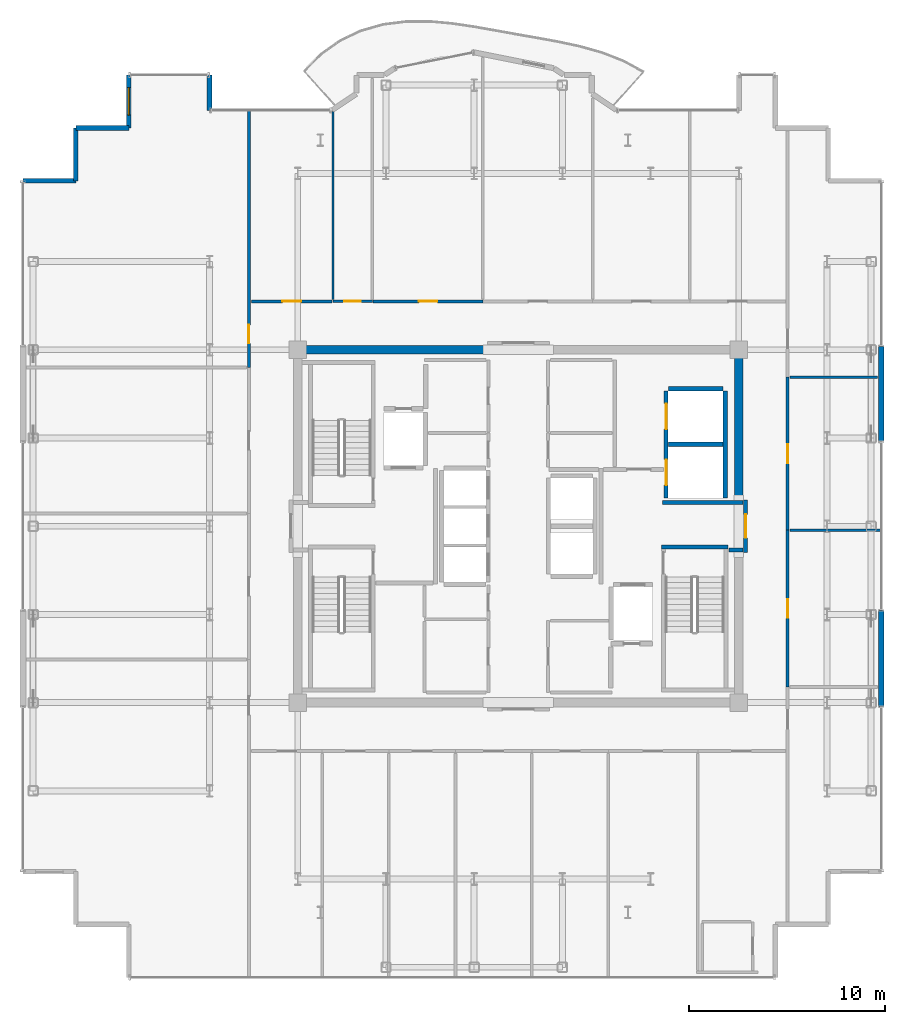
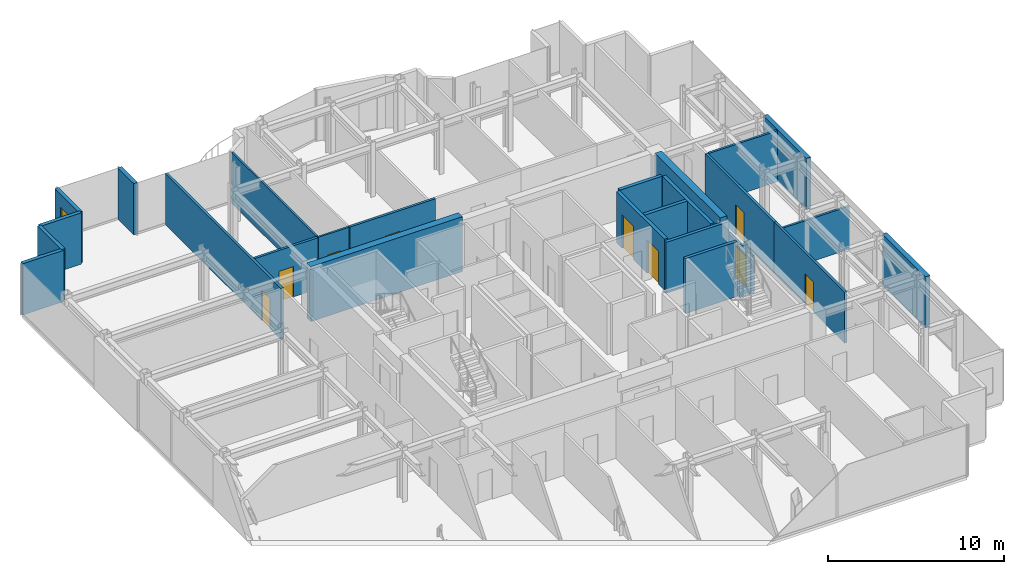
# One storey, part 14 of 16: 26 walls, 9 doors, 1 window, 10 openings.
"""IFC4 building model written with IfcOpenShell, lengths in metres."""

from ifc_helpers import new_model, si_unit, direction, frame, frame_2d, origin, place, context, subcontext, project, spatial, rectangle, extrude, source, transform, mapped, material, layer, layer_set, type_object, element, fill, save


model = new_model("IFC4")

# Units and contexts
model_context = context("Model", 3, precision=1e-05, world=origin(), true_north=direction((0.0, 1.0)))
body_context = subcontext(model_context, "Body", "Model", "MODEL_VIEW")
ifc_project = project(units=[si_unit("LENGTHUNIT", "METRE"), si_unit("AREAUNIT", "SQUARE_METRE"), si_unit("VOLUMEUNIT", "CUBIC_METRE"), si_unit("PLANEANGLEUNIT", "RADIAN"), si_unit("MASSUNIT", "GRAM", prefix="KILO")], contexts=[model_context])

# Site, building, storey
site_placement = place(None, origin())
site = spatial("IfcSite", under=ifc_project, at=site_placement, CompositionType="ELEMENT")
building_placement = place(site_placement, origin())
building = spatial("IfcBuilding", under=site, at=building_placement, Name="Nefas-Gora Pilgrimage Tower", CompositionType="ELEMENT")
storey_placement = place(building_placement, frame((0.0, 0.0, 310.199951171875)))
storey = spatial("IfcBuildingStorey", under=building, at=storey_placement, Name="L78", CompositionType="ELEMENT", Elevation=310.199951171875)

# Walls
ifc_material_1 = material(Name="Concrete C50/60", Category="concrete")
ifc_layer_1 = layer(ifc_material_1, 0.449951171875)
ifc_layer_set_1 = layer_set([ifc_layer_1], Name="Concrete C50/60")
wall_type_1 = type_object("IfcWallType", Name="SW-CORE-450", PredefinedType="SHEAR", material=ifc_layer_set_1)
shared_shape_1 = source(origin(), body_context, "Body", "SweptSolid", [
    extrude(rectangle(XDim=9.925048828125, YDim=0.449951171875, at=frame_2d((4.96240234375, 0.0))), origin(), (0.0, 0.0, 1.0), 3.800048828125),
])
wall_1_placement = place(storey_placement, frame((-11.47509765625, 9.0, 0.0), z_axis=(0.0, 0.0, 1.0), x_axis=(1.0, 0.0, 0.0)))
element("IfcWall", 1, at=wall_1_placement, inside=storey, type_object=wall_type_1, Name="L78 Core Shear Wall N-West", PredefinedType="SHEAR", context=body_context, shape_type="MappedRepresentation", body=[
    mapped(shared_shape_1, transform((0.0, 0.0, 0.0), x_axis=(1.0, 0.0, 0.0), y_axis=(0.0, 1.0, 0.0), z_axis=(0.0, 0.0, 1.0), scale=1.0)),
])
shared_shape_2 = source(origin(), body_context, "Body", "SweptSolid", [
    extrude(rectangle(XDim=7.4248046875, YDim=0.449951171875, at=frame_2d((3.71240234375, 0.0))), origin(), (0.0, 0.0, 1.0), 3.800048828125),
])
wall_2_placement = place(storey_placement, frame((11.25, 1.35009765625, 0.0), z_axis=(0.0, 0.0, 1.0), x_axis=(0.0, 1.0, 0.0)))
element("IfcWall", 2, at=wall_2_placement, inside=storey, type_object=wall_type_1, Name="L78 Core Shear Wall E-North", PredefinedType="SHEAR", context=body_context, shape_type="MappedRepresentation", body=[
    mapped(shared_shape_2, transform((0.0, 0.0, 0.0), x_axis=(1.0, 0.0, 0.0), y_axis=(0.0, 1.0, 0.0), z_axis=(0.0, 0.0, 1.0), scale=1.0)),
])
ifc_material_2 = material(Name="Precast concrete C45/55", Category="concrete")
ifc_layer_2 = layer(ifc_material_2, 0.239990234375)
ifc_layer_set_2 = layer_set([ifc_layer_2], Name="Precast concrete C45/55")
wall_type_2 = type_object("IfcWallType", Name="EW-SERR-240", PredefinedType="SHEAR", material=ifc_layer_set_2)
shared_shape_3 = source(origin(), body_context, "Body", "SweptSolid", [
    extrude(rectangle(XDim=4.8798828125, YDim=0.300048828125, at=frame_2d((2.43994140625, 0.0))), origin(), (0.0, 0.0, 1.0), 3.550048828125),
])
for number, where, z_axis, x_axis, name in (
    (3, (18.52001953125, -9.18994140625, 0.0), (0.0, 0.0, 1.0), (0.0, 1.0, 0.0), "L78 Braced-Tube Precast Shear Cladding 3"),
    (4, (18.52001953125, 4.31005859375, 0.0), (0.0, 0.0, 1.0), (0.0, 1.0, 0.0), "L78 Braced-Tube Precast Shear Cladding 4"),
):
    element("IfcWall", number, at=place(storey_placement, frame(where, z_axis=z_axis, x_axis=x_axis)), inside=storey, type_object=wall_type_2, Name=name, PredefinedType="SHEAR", context=body_context, shape_type="MappedRepresentation", body=[
        mapped(shared_shape_3, transform((0.0, 0.0, 0.0), x_axis=(1.0, 0.0, 0.0), y_axis=(0.0, 1.0, 0.0), z_axis=(0.0, 0.0, 1.0), scale=1.0)),
    ])
ifc_material_3 = material(Name="Precast concrete C40/50", Category="concrete")
ifc_layer_3 = layer(ifc_material_3, 0.260009765625)
ifc_layer_set_3 = layer_set([ifc_layer_3], Name="Precast concrete C40/50")
wall_type_3 = type_object("IfcWallType", Name="EW-PORTAL-260", PredefinedType="SOLIDWALL", material=ifc_layer_set_3)
shared_shape_4 = source(origin(), body_context, "Body", "SweptSolid", [
    extrude(rectangle(XDim=1.800048828125, YDim=0.260009765625, at=frame_2d((0.89990234375, 0.0))), origin(), (0.0, 0.0, 1.0), 3.550048828125),
])
wall_3_placement = place(storey_placement, frame((-15.75, 21.219970703125, 0.0), z_axis=(0.0, 0.0, 1.0), x_axis=(0.0, 1.0, 0.0)))
element("IfcWall", 5, at=wall_3_placement, inside=storey, type_object=wall_type_3, Name="L78 Lobe Shoulder Precast Spandrel Pier 20", PredefinedType="SOLIDWALL", context=body_context, shape_type="MappedRepresentation", body=[
    mapped(shared_shape_4, transform((0.0, 0.0, 0.0), x_axis=(1.0, 0.0, 0.0), y_axis=(0.0, 1.0, 0.0), z_axis=(0.0, 0.0, 1.0), scale=1.0)),
])

# Wall, opening, window
shared_shape_5 = source(origin(), body_context, "Body", "SweptSolid", [
    extrude(rectangle(XDim=2.699951171875, YDim=0.239990234375, at=frame_2d((1.35009765625, 0.0))), origin(), (0.0, 0.0, 1.0), 3.550048828125),
])
wall_4_placement = place(storey_placement, frame((-19.8701171875, 23.02001953125, 0.0), z_axis=(0.0, 0.0, 1.0), x_axis=(0.0, -1.0, 0.0)))
wall_4 = element("IfcWall", 6, at=wall_4_placement, inside=storey, type_object=wall_type_2, Name="L78 Serrated Corner Shear Pier Wall 21", PredefinedType="SHEAR", context=body_context, shape_type="MappedRepresentation", body=[
    mapped(shared_shape_5, transform((0.0, 0.0, 0.0), x_axis=(1.0, 0.0, 0.0), y_axis=(0.0, 1.0, 0.0), z_axis=(0.0, 0.0, 1.0), scale=1.0)),
])
opening_1_placement = place(wall_4_placement, frame((0.64990234375, 0.0, 0.85009765625)))
opening_1 = element("IfcOpeningElement", 7, at=opening_1_placement, cuts=wall_4, Name="Opening W-V2", PredefinedType="OPENING", context=body_context, shape_type="SweptSolid", body=[
    extrude(rectangle(XDim=1.39990234375, YDim=1.800048828125, at=frame_2d((0.699951171875, 0.89990234375))), frame((0.0, 0.1298828125, 0.0), z_axis=(0.0, -1.0, 0.0), x_axis=(1.0, 0.0, 0.0)), (0.0, 0.0, 1.0), 0.260009765625),
])
ifc_material_4 = material(Name="Dark ceramic-fritted operable aluminium-glass window", Category="aluminium")
window_type = type_object("IfcWindowType", Name="WIN-VENT-1400x1800", PartitioningType="SINGLE_PANEL", PredefinedType="WINDOW", material=ifc_material_4)
shared_shape_6 = source(origin(), body_context, "Body", "SweptSolid", [
    extrude(rectangle(XDim=1.39990234375, YDim=1.800048828125, at=frame_2d((0.699951171875, 0.89990234375))), frame((0.0, 0.030029296875, 0.0), z_axis=(0.0, -1.0, 0.0), x_axis=(1.0, 0.0, 0.0)), (0.0, 0.0, 1.0), 0.06005859375),
])
window_placement = place(opening_1_placement, origin())
window = element("IfcWindow", 8, at=window_placement, inside=storey, type_object=window_type, Name="L78 Operable Parallel-Outswing Window 21", OverallHeight=1.800048828125, OverallWidth=1.39990234375, PartitioningType="SINGLE_PANEL", PredefinedType="WINDOW", context=body_context, shape_type="MappedRepresentation", body=[
    mapped(shared_shape_6, transform((0.0, 0.0, 0.0), x_axis=(1.0, 0.0, 0.0), y_axis=(0.0, 1.0, 0.0), z_axis=(0.0, 0.0, 1.0), scale=1.0)),
])
fill(opening_1, window)

# Walls
for number, where, z_axis, x_axis, name in (
    (9, (-19.8701171875, 20.320068359375, 0.0), (0.0, 0.0, 1.0), (-1.0, 0.0, 0.0), "L78 Serrated Corner Shear Pier Wall 22"),
    (10, (-22.570068359375, 20.320068359375, 0.0), (0.0, 0.0, 1.0), (0.0, -1.0, 0.0), "L78 Serrated Corner Shear Pier Wall 23"),
    (11, (-22.570068359375, 17.6201171875, 0.0), (0.0, 0.0, 1.0), (-1.0, 0.0, 0.0), "L78 Serrated Corner Shear Pier Wall 24"),
):
    element("IfcWall", number, at=place(storey_placement, frame(where, z_axis=z_axis, x_axis=x_axis)), inside=storey, type_object=wall_type_2, Name=name, PredefinedType="SHEAR", context=body_context, shape_type="MappedRepresentation", body=[
        mapped(shared_shape_5, transform((0.0, 0.0, 0.0), x_axis=(1.0, 0.0, 0.0), y_axis=(0.0, 1.0, 0.0), z_axis=(0.0, 0.0, 1.0), scale=1.0)),
    ])
ifc_material_5 = material(Name="Concrete C45/55", Category="concrete")
ifc_layer_4 = layer(ifc_material_5, 0.199951171875)
ifc_layer_set_4 = layer_set([ifc_layer_4], Name="Concrete C45/55")
wall_type_4 = type_object("IfcWallType", Name="IW-STAIR-200", PredefinedType="SOLIDWALL", material=ifc_layer_set_4)
shared_shape_7 = source(origin(), body_context, "Body", "SweptSolid", [
    extrude(rectangle(XDim=3.39990234375, YDim=0.199951171875, at=frame_2d((1.699951171875, 0.0))), origin(), (0.0, 0.0, 1.0), 3.800048828125),
])
wall_5_placement = place(storey_placement, frame((7.300048828125, -1.050048828125, 0.0), z_axis=(0.0, 0.0, 1.0), x_axis=(1.0, 0.0, 0.0)))
element("IfcWall", 12, at=wall_5_placement, inside=storey, type_object=wall_type_4, Name="L78 Stairwell Shear Wall ST-02-near", PredefinedType="SOLIDWALL", context=body_context, shape_type="MappedRepresentation", body=[
    mapped(shared_shape_7, transform((0.0, 0.0, 0.0), x_axis=(1.0, 0.0, 0.0), y_axis=(0.0, 1.0, 0.0), z_axis=(0.0, 0.0, 1.0), scale=1.0)),
])

# Wall, openings, doors
ifc_material_6 = material(Name="Concrete C40/50", Category="concrete")
ifc_layer_5 = layer(ifc_material_6, 0.219970703125)
ifc_layer_set_5 = layer_set([ifc_layer_5], Name="Concrete C40/50")
wall_type_5 = type_object("IfcWallType", Name="IW-SHAFT-220", PredefinedType="SOLIDWALL", material=ifc_layer_set_5)
shared_shape_8 = source(origin(), body_context, "Body", "SweptSolid", [
    extrude(rectangle(XDim=5.449951171875, YDim=0.219970703125, at=frame_2d((2.72509765625, 0.0))), origin(), (0.0, 0.0, 1.0), 3.53515625),
])
wall_6_placement = place(storey_placement, frame((7.5400390625, 6.89990234375, 0.0), z_axis=(0.0, 0.0, 1.0), x_axis=(0.0, -1.0, 0.0)))
wall_6 = element("IfcWall", 13, at=wall_6_placement, inside=storey, type_object=wall_type_5, Name="L78 Hoistway Wall SL-01-02-W", PredefinedType="SOLIDWALL", context=body_context, shape_type="MappedRepresentation", body=[
    mapped(shared_shape_8, transform((0.0, 0.0, 0.0), x_axis=(1.0, 0.0, 0.0), y_axis=(0.0, 1.0, 0.0), z_axis=(0.0, 0.0, 1.0), scale=1.0)),
])
opening_2_placement = place(wall_6_placement, frame((3.5, 0.0, 0.0)))
opening_2 = element("IfcOpeningElement", 14, at=opening_2_placement, cuts=wall_6, Name="Opening LD-SV", PredefinedType="OPENING", context=body_context, shape_type="SweptSolid", body=[
    extrude(rectangle(XDim=1.300048828125, YDim=2.300048828125, at=frame_2d((0.64990234375, 1.14990234375))), frame((0.0, 0.119873046875, 0.0), z_axis=(0.0, -1.0, 0.0), x_axis=(1.0, 0.0, 0.0)), (0.0, 0.0, 1.0), 0.239990234375),
])
opening_3_placement = place(wall_6_placement, frame((0.64990234375, 0.0, 0.0)))
opening_3 = element("IfcOpeningElement", 15, at=opening_3_placement, cuts=wall_6, Name="Opening LD-SV", PredefinedType="OPENING", context=body_context, shape_type="SweptSolid", body=[
    extrude(rectangle(XDim=1.300048828125, YDim=2.300048828125, at=frame_2d((0.64990234375, 1.14990234375))), frame((0.0, 0.119873046875, 0.0), z_axis=(0.0, -1.0, 0.0), x_axis=(1.0, 0.0, 0.0)), (0.0, 0.0, 1.0), 0.239990234375),
])
ifc_material_7 = material(Name="Heavy goods sliding lift landing door")
door_type_1 = type_object("IfcDoorType", Name="DR-LIFT-SERV-1300", OperationType="SLIDING_TO_RIGHT", PredefinedType="DOOR", material=ifc_material_7)
shared_shape_9 = source(origin(), body_context, "Body", "SweptSolid", [
    extrude(rectangle(XDim=1.300048828125, YDim=2.300048828125, at=frame_2d((0.64990234375, 1.14990234375))), frame((0.0, 0.02490234375, 0.0), z_axis=(0.0, -1.0, 0.0), x_axis=(1.0, 0.0, 0.0)), (0.0, 0.0, 1.0), 0.050048828125),
])
door_1_placement = place(opening_2_placement, origin())
door_1 = element("IfcDoor", 16, at=door_1_placement, inside=storey, type_object=door_type_1, Name="L78 Sliding Lift Landing Door SL-01", OperationType="SLIDING_TO_RIGHT", OverallHeight=2.300048828125, OverallWidth=1.300048828125, PredefinedType="DOOR", context=body_context, shape_type="MappedRepresentation", body=[
    mapped(shared_shape_9, transform((0.0, 0.0, 0.0), x_axis=(1.0, 0.0, 0.0), y_axis=(0.0, 1.0, 0.0), z_axis=(0.0, 0.0, 1.0), scale=1.0)),
])
fill(opening_2, door_1)
door_2_placement = place(opening_3_placement, origin())
door_2 = element("IfcDoor", 17, at=door_2_placement, inside=storey, type_object=door_type_1, Name="L78 Sliding Lift Landing Door SL-02", OperationType="SLIDING_TO_RIGHT", OverallHeight=2.300048828125, OverallWidth=1.300048828125, PredefinedType="DOOR", context=body_context, shape_type="MappedRepresentation", body=[
    mapped(shared_shape_9, transform((0.0, 0.0, 0.0), x_axis=(1.0, 0.0, 0.0), y_axis=(0.0, 1.0, 0.0), z_axis=(0.0, 0.0, 1.0), scale=1.0)),
])
fill(opening_3, door_2)

# Walls
wall_7_placement = place(storey_placement, frame((10.56005859375, 1.449951171875, 0.0), z_axis=(0.0, 0.0, 1.0), x_axis=(0.0, 1.0, 0.0)))
element("IfcWall", 18, at=wall_7_placement, inside=storey, type_object=wall_type_5, Name="L78 Hoistway Wall SL-01-02-E", PredefinedType="SOLIDWALL", context=body_context, shape_type="MappedRepresentation", body=[
    mapped(shared_shape_8, transform((0.0, 0.0, 0.0), x_axis=(1.0, 0.0, 0.0), y_axis=(0.0, 1.0, 0.0), z_axis=(0.0, 0.0, 1.0), scale=1.0)),
])
shared_shape_10 = source(origin(), body_context, "Body", "SweptSolid", [
    extrude(rectangle(XDim=2.780029296875, YDim=0.219970703125, at=frame_2d((1.39013671875, 0.0))), origin(), (0.0, 0.0, 1.0), 3.53515625),
])
for number, where, z_axis, x_axis, name in (
    (19, (7.659912109375, 4.175048828125, 0.0), (0.0, 0.0, 1.0), (1.0, 0.0, 0.0), "L78 Hoistway Wall SL-01-02-DIV"),
    (20, (10.43994140625, 7.010009765625, 0.0), (0.0, 0.0, 1.0), (-1.0, 0.0, 0.0), "L78 Hoistway Wall SL-02-N"),
):
    element("IfcWall", number, at=place(storey_placement, frame(where, z_axis=z_axis, x_axis=x_axis)), inside=storey, type_object=wall_type_5, Name=name, PredefinedType="SOLIDWALL", context=body_context, shape_type="MappedRepresentation", body=[
        mapped(shared_shape_10, transform((0.0, 0.0, 0.0), x_axis=(1.0, 0.0, 0.0), y_axis=(0.0, 1.0, 0.0), z_axis=(0.0, 0.0, 1.0), scale=1.0)),
    ])
ifc_material_8 = material(Name="Gypsum fire-rated shaftwall")
ifc_layer_6 = layer(ifc_material_8, 0.199951171875)
ifc_layer_set_6 = layer_set([ifc_layer_6], Name="Gypsum fire-rated shaftwall")
wall_type_6 = type_object("IfcWallType", Name="IW-FFLOB-200", PredefinedType="PARTITIONING", material=ifc_layer_set_6)
shared_shape_11 = source(origin(), body_context, "Body", "SweptSolid", [
    extrude(rectangle(XDim=0.719970703125, YDim=0.199951171875, at=frame_2d((0.35986328125, 0.0))), origin(), (0.0, 0.0, 1.0), 3.53515625),
])
wall_8_placement = place(storey_placement, frame((10.739990234375, -1.219970703125, 0.0), z_axis=(0.0, 0.0, 1.0), x_axis=(1.0, 0.0, 0.0)))
element("IfcWall", 21, at=wall_8_placement, inside=storey, type_object=wall_type_6, Name="L78 FF Lobby East Throat S Wall 15", PredefinedType="PARTITIONING", context=body_context, shape_type="MappedRepresentation", body=[
    mapped(shared_shape_11, transform((0.0, 0.0, 0.0), x_axis=(1.0, 0.0, 0.0), y_axis=(0.0, 1.0, 0.0), z_axis=(0.0, 0.0, 1.0), scale=1.0)),
])
shared_shape_12 = source(origin(), body_context, "Body", "SweptSolid", [
    extrude(rectangle(XDim=4.10986328125, YDim=0.199951171875, at=frame_2d((2.054931640625, 0.0))), origin(), (0.0, 0.0, 1.0), 3.53515625),
])
wall_9_placement = place(storey_placement, frame((7.35009765625, 1.219970703125, 0.0), z_axis=(0.0, 0.0, 1.0), x_axis=(1.0, 0.0, 0.0)))
element("IfcWall", 22, at=wall_9_placement, inside=storey, type_object=wall_type_6, Name="L78 FF Lobby East Throat N Wall 14", PredefinedType="PARTITIONING", context=body_context, shape_type="MappedRepresentation", body=[
    mapped(shared_shape_12, transform((0.0, 0.0, 0.0), x_axis=(1.0, 0.0, 0.0), y_axis=(0.0, 1.0, 0.0), z_axis=(0.0, 0.0, 1.0), scale=1.0)),
])

# Wall, opening, door
ifc_material_9 = material(Name="Moisture-resistant fire-rated gypsum partition")
ifc_layer_7 = layer(ifc_material_9, 0.1201171875)
ifc_layer_set_7 = layer_set([ifc_layer_7], Name="Moisture-resistant fire-rated gypsum partition")
wall_type_7 = type_object("IfcWallType", Name="IW-WET-120", PredefinedType="PLUMBINGWALL", material=ifc_layer_set_7)
shared_shape_13 = source(origin(), body_context, "Body", "SweptSolid", [
    extrude(rectangle(XDim=2.02001953125, YDim=0.1201171875, at=frame_2d((1.010009765625, 0.0))), origin(), (0.0, 0.0, 1.0), 3.53515625),
])
wall_10_placement = place(storey_placement, frame((-9.4599609375, 11.469970703125, 0.0), z_axis=(0.0, 0.0, 1.0), x_axis=(1.0, 0.0, 0.0)))
wall_10 = element("IfcWall", 23, at=wall_10_placement, inside=storey, type_object=wall_type_7, Name="L78 Accessible Unisex WC Partition Wall 40", PredefinedType="PLUMBINGWALL", context=body_context, shape_type="MappedRepresentation", body=[
    mapped(shared_shape_13, transform((0.0, 0.0, 0.0), x_axis=(1.0, 0.0, 0.0), y_axis=(0.0, 1.0, 0.0), z_axis=(0.0, 0.0, 1.0), scale=1.0)),
])
opening_4_placement = place(wall_10_placement, frame((0.5849609375, 0.0, 0.0)))
opening_4 = element("IfcOpeningElement", 24, at=opening_4_placement, cuts=wall_10, Name="Opening ID-BT1", PredefinedType="OPENING", context=body_context, shape_type="SweptSolid", body=[
    extrude(rectangle(XDim=0.85009765625, YDim=2.10009765625, at=frame_2d((0.425048828125, 1.050048828125))), frame((0.0, 0.070068359375, 0.0), z_axis=(0.0, -1.0, 0.0), x_axis=(1.0, 0.0, 0.0)), (0.0, 0.0, 1.0), 0.14013671875),
])
ifc_material_10 = material(Name="Moisture-resistant fire-rated timber door", Category="wood")
door_type_2 = type_object("IfcDoorType", Name="DR-INT-BATH-850", OperationType="NOTDEFINED", PredefinedType="DOOR", material=ifc_material_10)
shared_shape_14 = source(origin(), body_context, "Body", "SweptSolid", [
    extrude(rectangle(XDim=0.85009765625, YDim=2.10009765625, at=frame_2d((0.425048828125, 1.050048828125))), frame((0.0, 0.02490234375, 0.0), z_axis=(0.0, -1.0, 0.0), x_axis=(1.0, 0.0, 0.0)), (0.0, 0.0, 1.0), 0.050048828125),
])
door_3_placement = place(opening_4_placement, origin())
door_3 = element("IfcDoor", 25, at=door_3_placement, inside=storey, type_object=door_type_2, Name="L78 Accessible Unisex WC Door 16", OperationType="SINGLE_SWING_LEFT", OverallHeight=2.10009765625, OverallWidth=0.85009765625, PredefinedType="DOOR", context=body_context, shape_type="MappedRepresentation", body=[
    mapped(shared_shape_14, transform((0.0, 0.0, 0.0), x_axis=(1.0, 0.0, 0.0), y_axis=(0.0, 1.0, 0.0), z_axis=(0.0, 0.0, 1.0), scale=1.0)),
])
fill(opening_4, door_3)

# Wall
shared_shape_15 = source(origin(), body_context, "Body", "SweptSolid", [
    extrude(rectangle(XDim=9.586669921875, YDim=0.1201171875, at=frame_2d((4.79345703125, 0.0))), origin(), (0.0, 0.0, 1.0), 3.53515625),
])
wall_11_placement = place(storey_placement, frame((-9.449951171875, 11.570068359375, 0.0), z_axis=(0.0, 0.0, 1.0), x_axis=(0.0, 1.0, 0.0)))
element("IfcWall", 26, at=wall_11_placement, inside=storey, type_object=wall_type_7, Name="L78 Accessible Unisex WC Partition Wall 42", PredefinedType="PLUMBINGWALL", context=body_context, shape_type="MappedRepresentation", body=[
    mapped(shared_shape_15, transform((0.0, 0.0, 0.0), x_axis=(1.0, 0.0, 0.0), y_axis=(0.0, 1.0, 0.0), z_axis=(0.0, 0.0, 1.0), scale=1.0)),
])

# Wall, opening, door
ifc_material_11 = material(Name="Gypsum acoustic stud partition")
ifc_layer_8 = layer(ifc_material_11, 0.159912109375)
ifc_layer_set_8 = layer_set([ifc_layer_8], Name="Gypsum acoustic stud partition")
wall_type_8 = type_object("IfcWallType", Name="IW-CORR-160", PredefinedType="PARTITIONING", material=ifc_layer_set_8)
shared_shape_16 = source(origin(), body_context, "Body", "SweptSolid", [
    extrude(rectangle(XDim=4.125, YDim=0.159912109375, at=frame_2d((2.0625, 0.0))), origin(), (0.0, 0.0, 1.0), 3.53515625),
])
wall_12_placement = place(storey_placement, frame((-13.6201171875, 11.469970703125, 0.0), z_axis=(0.0, 0.0, 1.0), x_axis=(1.0, 0.0, 0.0)))
wall_12 = element("IfcWall", 27, at=wall_12_placement, inside=storey, type_object=wall_type_8, Name="L78 Pilgrim Contemplative Lounge Partition Wall 57", PredefinedType="PARTITIONING", context=body_context, shape_type="MappedRepresentation", body=[
    mapped(shared_shape_16, transform((0.0, 0.0, 0.0), x_axis=(1.0, 0.0, 0.0), y_axis=(0.0, 1.0, 0.0), z_axis=(0.0, 0.0, 1.0), scale=1.0)),
])
opening_5_placement = place(wall_12_placement, frame((1.58740234375, 0.0, 0.0)))
opening_5 = element("IfcOpeningElement", 28, at=opening_5_placement, cuts=wall_12, Name="Opening ID-GR1", PredefinedType="OPENING", context=body_context, shape_type="SweptSolid", body=[
    extrude(rectangle(XDim=0.949951171875, YDim=2.10009765625, at=frame_2d((0.47509765625, 1.050048828125))), frame((0.0, 0.08984375, 0.0), z_axis=(0.0, -1.0, 0.0), x_axis=(1.0, 0.0, 0.0)), (0.0, 0.0, 1.0), 0.179931640625),
])
ifc_material_12 = material(Name="Solid core oak fire-rated guest entrance door")
door_type_3 = type_object("IfcDoorType", Name="DR-INT-GUEST-950", OperationType="NOTDEFINED", PredefinedType="DOOR", material=ifc_material_12)
shared_shape_17 = source(origin(), body_context, "Body", "SweptSolid", [
    extrude(rectangle(XDim=0.949951171875, YDim=2.10009765625, at=frame_2d((0.47509765625, 1.050048828125))), frame((0.0, 0.02490234375, 0.0), z_axis=(0.0, -1.0, 0.0), x_axis=(1.0, 0.0, 0.0)), (0.0, 0.0, 1.0), 0.050048828125),
])
door_4_placement = place(opening_5_placement, origin())
door_4 = element("IfcDoor", 29, at=door_4_placement, inside=storey, type_object=door_type_3, Name="L78 Pilgrim Contemplative Lounge Door 25", OperationType="SINGLE_SWING_RIGHT", OverallHeight=2.10009765625, OverallWidth=0.949951171875, PredefinedType="DOOR", context=body_context, shape_type="MappedRepresentation", body=[
    mapped(shared_shape_17, transform((0.0, 0.0, 0.0), x_axis=(1.0, 0.0, 0.0), y_axis=(0.0, 1.0, 0.0), z_axis=(0.0, 0.0, 1.0), scale=1.0)),
])
fill(opening_5, door_4)

shared_shape_18 = source(origin(), body_context, "Body", "SweptSolid", [
    extrude(rectangle(XDim=13.152587890625, YDim=0.159912109375, at=frame_2d((6.576171875, 0.0))), origin(), (0.0, 0.0, 1.0), 3.53515625),
])
wall_13_placement = place(storey_placement, frame((-13.739990234375, 8.08740234375, 0.0), z_axis=(0.0, 0.0, 1.0), x_axis=(0.0, 1.0, 0.0)))
wall_13 = element("IfcWall", 30, at=wall_13_placement, inside=storey, type_object=wall_type_8, Name="L78 Pilgrim Devotional Prayer Gallery Partition Wall 45", PredefinedType="PARTITIONING", context=body_context, shape_type="MappedRepresentation", body=[
    mapped(shared_shape_18, transform((0.0, 0.0, 0.0), x_axis=(1.0, 0.0, 0.0), y_axis=(0.0, 1.0, 0.0), z_axis=(0.0, 0.0, 1.0), scale=1.0)),
])
opening_6_placement = place(wall_13_placement, frame((1.236083984375, 0.0, 0.0)))
opening_6 = element("IfcOpeningElement", 31, at=opening_6_placement, cuts=wall_13, Name="Opening ID-GR1", PredefinedType="OPENING", context=body_context, shape_type="SweptSolid", body=[
    extrude(rectangle(XDim=0.949951171875, YDim=2.10009765625, at=frame_2d((0.47509765625, 1.050048828125))), frame((0.0, 0.08984375, 0.0), z_axis=(0.0, -1.0, 0.0), x_axis=(1.0, 0.0, 0.0)), (0.0, 0.0, 1.0), 0.179931640625),
])
door_5_placement = place(opening_6_placement, origin())
door_5 = element("IfcDoor", 32, at=door_5_placement, inside=storey, type_object=door_type_3, Name="L78 Pilgrim Devotional Prayer Gallery Door 18", OperationType="SINGLE_SWING_LEFT", OverallHeight=2.10009765625, OverallWidth=0.949951171875, PredefinedType="DOOR", context=body_context, shape_type="MappedRepresentation", body=[
    mapped(shared_shape_17, transform((0.0, 0.0, 0.0), x_axis=(1.0, 0.0, 0.0), y_axis=(0.0, 1.0, 0.0), z_axis=(0.0, 0.0, 1.0), scale=1.0)),
])
fill(opening_6, door_5)

shared_shape_19 = source(origin(), body_context, "Body", "SweptSolid", [
    extrude(rectangle(XDim=8.010009765625, YDim=0.159912109375, at=frame_2d((4.0048828125, 0.0))), origin(), (0.0, 0.0, 1.0), 3.53515625),
])
wall_14_placement = place(storey_placement, frame((13.739990234375, -8.205078125, 0.0), z_axis=(0.0, 0.0, 1.0), x_axis=(0.0, 1.0, 0.0)))
wall_14 = element("IfcWall", 33, at=wall_14_placement, inside=storey, type_object=wall_type_8, Name="L78 Pilgrim Contemplative Lounge Partition Wall 52", PredefinedType="PARTITIONING", context=body_context, shape_type="MappedRepresentation", body=[
    mapped(shared_shape_19, transform((0.0, 0.0, 0.0), x_axis=(1.0, 0.0, 0.0), y_axis=(0.0, 1.0, 0.0), z_axis=(0.0, 0.0, 1.0), scale=1.0)),
])
opening_7_placement = place(wall_14_placement, frame((3.530029296875, 0.0, 0.0)))
opening_7 = element("IfcOpeningElement", 34, at=opening_7_placement, cuts=wall_14, Name="Opening ID-GR1", PredefinedType="OPENING", context=body_context, shape_type="SweptSolid", body=[
    extrude(rectangle(XDim=0.949951171875, YDim=2.10009765625, at=frame_2d((0.47509765625, 1.050048828125))), frame((0.0, 0.08984375, 0.0), z_axis=(0.0, -1.0, 0.0), x_axis=(1.0, 0.0, 0.0)), (0.0, 0.0, 1.0), 0.179931640625),
])
door_6_placement = place(opening_7_placement, origin())
door_6 = element("IfcDoor", 35, at=door_6_placement, inside=storey, type_object=door_type_3, Name="L78 Pilgrim Contemplative Lounge Door 22", OperationType="SINGLE_SWING_LEFT", OverallHeight=2.10009765625, OverallWidth=0.949951171875, PredefinedType="DOOR", context=body_context, shape_type="MappedRepresentation", body=[
    mapped(shared_shape_17, transform((0.0, 0.0, 0.0), x_axis=(1.0, 0.0, 0.0), y_axis=(0.0, 1.0, 0.0), z_axis=(0.0, 0.0, 1.0), scale=1.0)),
])
fill(opening_7, door_6)

shared_shape_20 = source(origin(), body_context, "Body", "SweptSolid", [
    extrude(rectangle(XDim=7.81005859375, YDim=0.159912109375, at=frame_2d((3.905029296875, 0.0))), origin(), (0.0, 0.0, 1.0), 3.53515625),
])
wall_15_placement = place(storey_placement, frame((13.739990234375, -0.205078125, 0.0), z_axis=(0.0, 0.0, 1.0), x_axis=(0.0, 1.0, 0.0)))
wall_15 = element("IfcWall", 36, at=wall_15_placement, inside=storey, type_object=wall_type_8, Name="L78 Pilgrim Contemplative Lounge Partition Wall 54", PredefinedType="PARTITIONING", context=body_context, shape_type="MappedRepresentation", body=[
    mapped(shared_shape_20, transform((0.0, 0.0, 0.0), x_axis=(1.0, 0.0, 0.0), y_axis=(0.0, 1.0, 0.0), z_axis=(0.0, 0.0, 1.0), scale=1.0)),
])
opening_8_placement = place(wall_15_placement, frame((3.429931640625, 0.0, 0.0)))
opening_8 = element("IfcOpeningElement", 37, at=opening_8_placement, cuts=wall_15, Name="Opening ID-GR1", PredefinedType="OPENING", context=body_context, shape_type="SweptSolid", body=[
    extrude(rectangle(XDim=0.949951171875, YDim=2.10009765625, at=frame_2d((0.47509765625, 1.050048828125))), frame((0.0, 0.08984375, 0.0), z_axis=(0.0, -1.0, 0.0), x_axis=(1.0, 0.0, 0.0)), (0.0, 0.0, 1.0), 0.179931640625),
])
door_7_placement = place(opening_8_placement, origin())
door_7 = element("IfcDoor", 38, at=door_7_placement, inside=storey, type_object=door_type_3, Name="L78 Pilgrim Contemplative Lounge Door 23", OperationType="SINGLE_SWING_RIGHT", OverallHeight=2.10009765625, OverallWidth=0.949951171875, PredefinedType="DOOR", context=body_context, shape_type="MappedRepresentation", body=[
    mapped(shared_shape_17, transform((0.0, 0.0, 0.0), x_axis=(1.0, 0.0, 0.0), y_axis=(0.0, 1.0, 0.0), z_axis=(0.0, 0.0, 1.0), scale=1.0)),
])
fill(opening_8, door_7)

shared_shape_21 = source(origin(), body_context, "Body", "SweptSolid", [
    extrude(rectangle(XDim=2.7001953125, YDim=0.199951171875, at=frame_2d((1.35009765625, 0.0))), origin(), (0.0, 0.0, 1.0), 2.625),
])
wall_16_placement = place(storey_placement, frame((11.60009765625, -1.35009765625, 0.0), z_axis=(0.0, 0.0, 1.0), x_axis=(0.0, 1.0, 0.0)))
wall_16 = element("IfcWall", 39, at=wall_16_placement, inside=storey, type_object=wall_type_6, Name="L78 FF Lobby East Portal Wall 10", PredefinedType="PARTITIONING", context=body_context, shape_type="MappedRepresentation", body=[
    mapped(shared_shape_21, transform((0.0, 0.0, 0.0), x_axis=(1.0, 0.0, 0.0), y_axis=(0.0, 1.0, 0.0), z_axis=(0.0, 0.0, 1.0), scale=1.0)),
])
opening_9_placement = place(wall_16_placement, frame((0.75, 0.0, 0.0)))
opening_9 = element("IfcOpeningElement", 40, at=opening_9_placement, cuts=wall_16, Name="Opening ID-FF1", PredefinedType="OPENING", context=body_context, shape_type="SweptSolid", body=[
    extrude(rectangle(XDim=1.199951171875, YDim=2.14990234375, at=frame_2d((0.60009765625, 1.074951171875))), frame((0.0, 0.10986328125, 0.0), z_axis=(0.0, -1.0, 0.0), x_axis=(1.0, 0.0, 0.0)), (0.0, 0.0, 1.0), 0.219970703125),
])
ifc_material_13 = material(Name="Smoke-sealed steel firefighting lobby door", Category="steel")
door_type_4 = type_object("IfcDoorType", Name="DR-INT-FFLOB-1200", OperationType="NOTDEFINED", PredefinedType="DOOR", material=ifc_material_13)
shared_shape_22 = source(origin(), body_context, "Body", "SweptSolid", [
    extrude(rectangle(XDim=1.199951171875, YDim=2.14990234375, at=frame_2d((0.60009765625, 1.074951171875))), frame((0.0, 0.02490234375, 0.0), z_axis=(0.0, -1.0, 0.0), x_axis=(1.0, 0.0, 0.0)), (0.0, 0.0, 1.0), 0.050048828125),
])
door_8_placement = place(opening_9_placement, origin())
door_8 = element("IfcDoor", 41, at=door_8_placement, inside=storey, type_object=door_type_4, Name="L78 FF Lobby East Portal Door 4", OperationType="SINGLE_SWING_LEFT", OverallHeight=2.14990234375, OverallWidth=1.199951171875, PredefinedType="DOOR", context=body_context, shape_type="MappedRepresentation", body=[
    mapped(shared_shape_22, transform((0.0, 0.0, 0.0), x_axis=(1.0, 0.0, 0.0), y_axis=(0.0, 1.0, 0.0), z_axis=(0.0, 0.0, 1.0), scale=1.0)),
])
fill(opening_9, door_8)

# Walls
ifc_material_14 = material(Name="Gypsum twin-stud partition")
ifc_layer_9 = layer(ifc_material_14, 0.139892578125)
ifc_layer_set_9 = layer_set([ifc_layer_9], Name="Gypsum twin-stud partition")
wall_type_9 = type_object("IfcWallType", Name="IW-UNIT-140", PredefinedType="PARTITIONING", material=ifc_layer_set_9)
shared_shape_23 = source(origin(), body_context, "Body", "SweptSolid", [
    extrude(rectangle(XDim=4.469970703125, YDim=0.139892578125, at=frame_2d((2.23486328125, 0.0))), origin(), (0.0, 0.0, 1.0), 3.53515625),
])
wall_17_placement = place(storey_placement, frame((13.860107421875, 7.594970703125, 0.0), z_axis=(0.0, 0.0, 1.0), x_axis=(1.0, 0.0, 0.0)))
element("IfcWall", 42, at=wall_17_placement, inside=storey, type_object=wall_type_9, Name="L78 Pilgrim Contemplative Lounge Partition Wall 55", PredefinedType="PARTITIONING", context=body_context, shape_type="MappedRepresentation", body=[
    mapped(shared_shape_23, transform((0.0, 0.0, 0.0), x_axis=(1.0, 0.0, 0.0), y_axis=(0.0, 1.0, 0.0), z_axis=(0.0, 0.0, 1.0), scale=1.0)),
])
shared_shape_24 = source(origin(), body_context, "Body", "SweptSolid", [
    extrude(rectangle(XDim=4.679931640625, YDim=0.139892578125, at=frame_2d((2.33984375, 0.0))), origin(), (0.0, 0.0, 1.0), 2.97509765625),
])
wall_18_placement = place(storey_placement, frame((13.860107421875, -0.205078125, 0.0), z_axis=(0.0, 0.0, 1.0), x_axis=(1.0, 0.0, 0.0)))
element("IfcWall", 43, at=wall_18_placement, inside=storey, type_object=wall_type_9, Name="L78 Pilgrim Contemplative Lounge Partition Wall 53", PredefinedType="PARTITIONING", context=body_context, shape_type="MappedRepresentation", body=[
    mapped(shared_shape_24, transform((0.0, 0.0, 0.0), x_axis=(1.0, 0.0, 0.0), y_axis=(0.0, 1.0, 0.0), z_axis=(0.0, 0.0, 1.0), scale=1.0)),
])

# Wall, opening, door
shared_shape_25 = source(origin(), body_context, "Body", "SweptSolid", [
    extrude(rectangle(XDim=5.60498046875, YDim=0.159912109375, at=frame_2d((2.802490234375, 0.0))), origin(), (0.0, 0.0, 1.0), 3.53515625),
])
wall_19_placement = place(storey_placement, frame((-7.405029296875, 11.469970703125, 0.0), z_axis=(0.0, 0.0, 1.0), x_axis=(1.0, 0.0, 0.0)))
wall_19 = element("IfcWall", 44, at=wall_19_placement, inside=storey, type_object=wall_type_8, Name="L78 Pilgrim Contemplative Lounge Partition Wall 58", PredefinedType="PARTITIONING", context=body_context, shape_type="MappedRepresentation", body=[
    mapped(shared_shape_25, transform((0.0, 0.0, 0.0), x_axis=(1.0, 0.0, 0.0), y_axis=(0.0, 1.0, 0.0), z_axis=(0.0, 0.0, 1.0), scale=1.0)),
])
opening_10_placement = place(wall_19_placement, frame((2.327392578125, 0.0, 0.0)))
opening_10 = element("IfcOpeningElement", 45, at=opening_10_placement, cuts=wall_19, Name="Opening ID-GR1", PredefinedType="OPENING", context=body_context, shape_type="SweptSolid", body=[
    extrude(rectangle(XDim=0.949951171875, YDim=2.10009765625, at=frame_2d((0.47509765625, 1.050048828125))), frame((0.0, 0.08984375, 0.0), z_axis=(0.0, -1.0, 0.0), x_axis=(1.0, 0.0, 0.0)), (0.0, 0.0, 1.0), 0.179931640625),
])
door_9_placement = place(opening_10_placement, origin())
door_9 = element("IfcDoor", 46, at=door_9_placement, inside=storey, type_object=door_type_3, Name="L78 Pilgrim Contemplative Lounge Door 26", OperationType="SINGLE_SWING_LEFT", OverallHeight=2.10009765625, OverallWidth=0.949951171875, PredefinedType="DOOR", context=body_context, shape_type="MappedRepresentation", body=[
    mapped(shared_shape_17, transform((0.0, 0.0, 0.0), x_axis=(1.0, 0.0, 0.0), y_axis=(0.0, 1.0, 0.0), z_axis=(0.0, 0.0, 1.0), scale=1.0)),
])
fill(opening_10, door_9)

save(model, "model.ifc")
